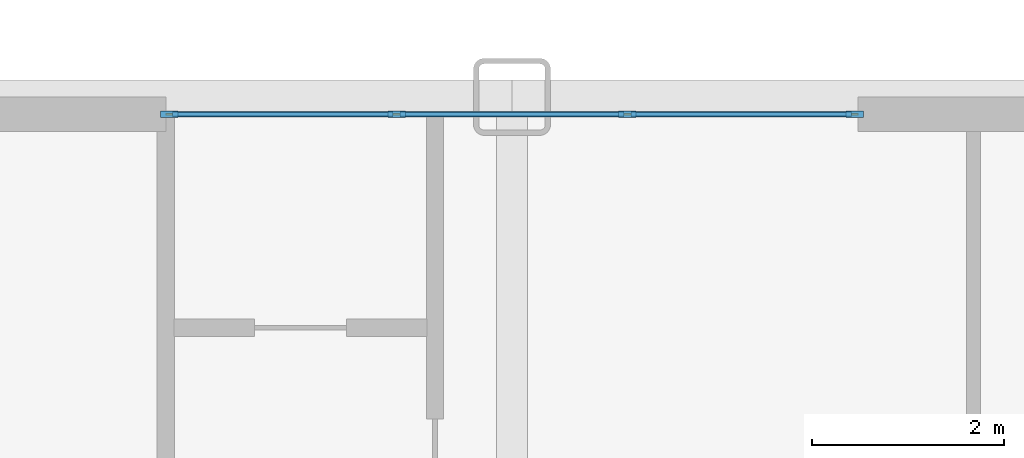
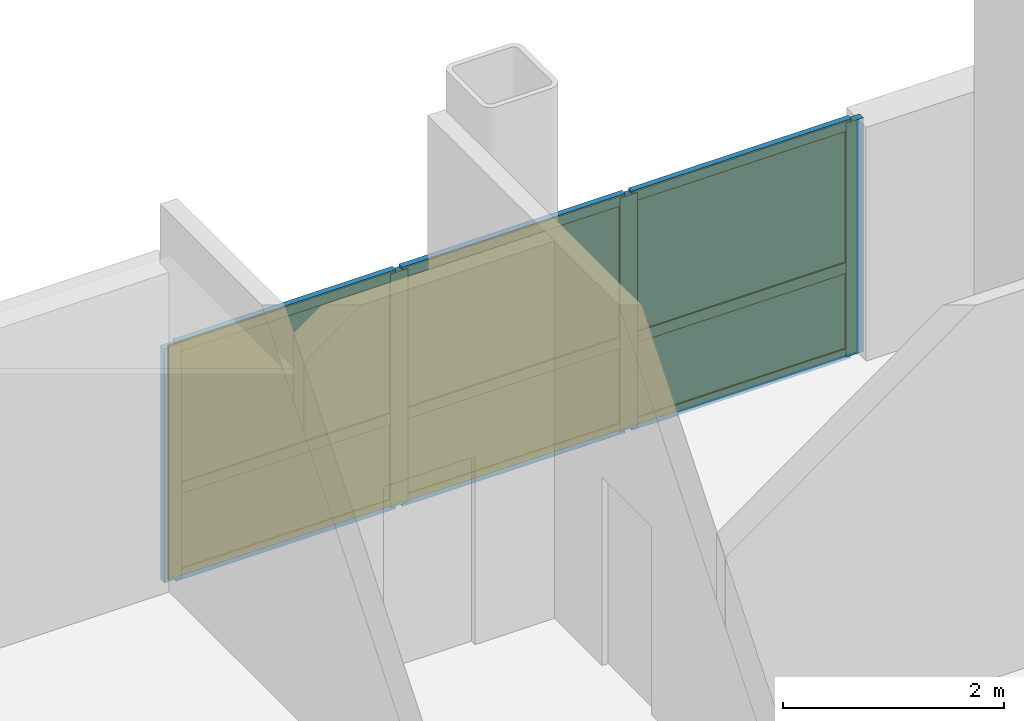
# One storey, part 9 of 14: 13 members, 6 plates, 1 curtain wall.
"""IFC4 building model written with IfcOpenShell, lengths in metres."""

import ifcopenshell
import ifcopenshell.guid

model = None  # the IFC model being written
_history = None  # IfcOwnerHistory: only IFC2X3 demands one
_inside = {}  # id of a spatial element -> (the spatial element, [elements in it])
_under = {}  # id of a project, library or spatial element -> (it, [spatial elements below it])
_declared = {}  # id of a project -> (the project, [libraries it declares])
_typed = {}  # id of a type object -> (the type object, [elements of that type])
_made_of = {}  # id of a material, layer set ... -> (it, [elements and type objects made of it])


def new_model(schema):
    """Start an empty IFC model of exactly this schema.

    Asked for "IFC4X3", IfcOpenShell would pick the latest addendum, in which some entities
    have other attributes; the version numbers below select the first issue.
    IFC2X3 requires an IfcOwnerHistory on every rooted entity: one is made here for all.
    """
    global model, _history
    if schema == "IFC4X3":
        model = ifcopenshell.file(schema_version=(4, 3, 0, 0))
    else:
        model = ifcopenshell.file(schema=schema)
    _inside.clear()
    _under.clear()
    _declared.clear()
    _typed.clear()
    _made_of.clear()
    _history = None
    if model.schema == "IFC2X3":
        org = make("IfcOrganization", Name="unknown")
        user = make(
            "IfcPersonAndOrganization",
            ThePerson=make("IfcPerson", FamilyName="unknown"),
            TheOrganization=org,
        )
        app = make(
            "IfcApplication",
            ApplicationDeveloper=org,
            Version="unknown",
            ApplicationFullName="unknown",
            ApplicationIdentifier="unknown",
        )
        _history = make(
            "IfcOwnerHistory",
            OwningUser=user,
            OwningApplication=app,
            ChangeAction="ADDED",
            CreationDate=0,
        )
    return model


def make(cls, **values):
    """One entity of the class cls with the attributes given. An attribute that is None is left unset."""
    return model.create_entity(
        cls, **{name: value for name, value in values.items() if value is not None}
    )


def rooted(cls, **values):
    """An entity with a GlobalId (a new one), such as an element, a storey or a relation."""
    return make(cls, GlobalId=ifcopenshell.guid.new(), OwnerHistory=_history, **values)


def si_unit(unit_type, name, prefix=None):
    """IfcSIUnit, for example si_unit("LENGTHUNIT", "METRE", prefix="MILLI")."""
    return make("IfcSIUnit", UnitType=unit_type, Prefix=prefix, Name=name)


def assignment(units):
    """IfcUnitAssignment: the units of a project."""
    return None if units is None else make("IfcUnitAssignment", Units=units)


def point(xyz):
    """IfcCartesianPoint."""
    return None if xyz is None else make("IfcCartesianPoint", Coordinates=xyz)


def direction(xyz):
    """IfcDirection."""
    return None if xyz is None else make("IfcDirection", DirectionRatios=xyz)


def frame(location, z_axis=None, x_axis=None):
    """IfcAxis2Placement3D, a coordinate frame: its origin and axes. An axis left out is left unset."""
    return make(
        "IfcAxis2Placement3D",
        Location=point(location),
        Axis=direction(z_axis),
        RefDirection=direction(x_axis),
    )


def frame_2d(location, x_axis=None):
    """IfcAxis2Placement2D, a coordinate frame in the plane: its origin and x axis."""
    return make(
        "IfcAxis2Placement2D", Location=point(location), RefDirection=direction(x_axis)
    )


def origin():
    """The frame at (0, 0, 0) with its axes left unset."""
    return frame((0.0, 0.0, 0.0))


def origin_2d():
    """The frame at (0, 0) in the plane with its x axis left unset."""
    return frame_2d((0.0, 0.0))


def place(relative_to, where):
    """IfcLocalPlacement: puts the frame where relative to a parent placement (None: the world)."""
    return make(
        "IfcLocalPlacement", PlacementRelTo=relative_to, RelativePlacement=where
    )


def context(
    kind, dimensions, precision=None, world=None, true_north=None, identifier=None
):
    """IfcGeometricRepresentationContext, for example the 3D "Model" context."""
    return make(
        "IfcGeometricRepresentationContext",
        ContextIdentifier=identifier,
        ContextType=kind,
        CoordinateSpaceDimension=dimensions,
        Precision=precision,
        WorldCoordinateSystem=world,
        TrueNorth=true_north,
    )


def subcontext(parent, identifier, kind, view, scale=None):
    """IfcGeometricRepresentationSubContext, for example "Body" below "Model"."""
    return make(
        "IfcGeometricRepresentationSubContext",
        ContextIdentifier=identifier,
        ContextType=kind,
        ParentContext=parent,
        TargetScale=scale,
        TargetView=view,
    )


def project(units=None, contexts=None):
    """IfcProject with its units and contexts."""
    return rooted(
        "IfcProject",
        Name="project",
        RepresentationContexts=contexts,
        UnitsInContext=assignment(units),
    )


def spatial(cls, under=None, at=None, **own):
    """A site, building, storey or space (cls), placed at a placement, below another one or the project."""
    s = rooted(cls, ObjectPlacement=at, **own)
    if under is not None:
        _under.setdefault(under.id(), (under, []))[1].append(s)
    return s


def profile(cls, at=None, kind="AREA", **sizes):
    """A parametric profile (cls). Its sizes go by their IFC names, for example OverallWidth=200.0."""
    return make(cls, ProfileType=kind, Position=at, **sizes)


def rectangle(**sizes):
    """IfcRectangleProfileDef."""
    return profile("IfcRectangleProfileDef", **sizes)


def extrude(swept, where, along, depth):
    """IfcExtrudedAreaSolid: the profile swept, set in the frame where, extruded along a direction by depth."""
    return make(
        "IfcExtrudedAreaSolid",
        SweptArea=swept,
        Position=where,
        ExtrudedDirection=direction(along),
        Depth=depth,
    )


def shape(context_of_items, identifier, shape_type, items):
    """IfcShapeRepresentation: the items that make up one representation, for example the "Body"."""
    return make(
        "IfcShapeRepresentation",
        ContextOfItems=context_of_items,
        RepresentationIdentifier=identifier,
        RepresentationType=shape_type,
        Items=items,
    )


def source(mapping_origin, context_of_items, identifier, shape_type, items):
    """IfcRepresentationMap: a shape defined once, which mapped items show again and again."""
    return make(
        "IfcRepresentationMap",
        MappingOrigin=mapping_origin,
        MappedRepresentation=shape(context_of_items, identifier, shape_type, items),
    )


def transform(
    local_origin,
    x_axis=None,
    y_axis=None,
    z_axis=None,
    scale=None,
    scale2=None,
    scale3=None,
    uniform=True,
):
    """IfcCartesianTransformationOperator3D, or its non-uniform kind. x_axis, y_axis, z_axis: its Axis1, 2, 3."""
    if uniform:
        return make(
            "IfcCartesianTransformationOperator3D",
            Axis1=direction(x_axis),
            Axis2=direction(y_axis),
            LocalOrigin=point(local_origin),
            Scale=scale,
            Axis3=direction(z_axis),
        )
    return make(
        "IfcCartesianTransformationOperator3DnonUniform",
        Axis1=direction(x_axis),
        Axis2=direction(y_axis),
        LocalOrigin=point(local_origin),
        Scale=scale,
        Axis3=direction(z_axis),
        Scale2=scale2,
        Scale3=scale3,
    )


def mapped(mapping_source, mapping_target):
    """IfcMappedItem: shows the shape of a source again, moved by a transform."""
    return make(
        "IfcMappedItem", MappingSource=mapping_source, MappingTarget=mapping_target
    )


def material(Name=None, Category=None):
    """IfcMaterial."""
    return make("IfcMaterial", Name=Name, Category=Category)


def layer(
    of_material, thickness, ventilated=None, Name=None, Category=None, Priority=None
):
    """IfcMaterialLayer: one layer of a wall or slab, of a material (None: an air gap)."""
    return make(
        "IfcMaterialLayer",
        Material=of_material,
        LayerThickness=thickness,
        IsVentilated=ventilated,
        Name=Name,
        Category=Category,
        Priority=Priority,
    )


def layer_set(layers, Name=None):
    """IfcMaterialLayerSet."""
    return make("IfcMaterialLayerSet", MaterialLayers=layers, LayerSetName=Name)


def material_profile(
    of_material, cross_section, Name=None, Category=None, Priority=None
):
    """IfcMaterialProfile: a cross section and its material."""
    return make(
        "IfcMaterialProfile",
        Name=Name,
        Material=of_material,
        Profile=cross_section,
        Priority=Priority,
        Category=Category,
    )


def profile_set(profiles, Name=None, composite=None):
    """IfcMaterialProfileSet."""
    return make(
        "IfcMaterialProfileSet",
        Name=Name,
        MaterialProfiles=profiles,
        CompositeProfile=composite,
    )


def made_of(thing, what):
    """Note that an element or type object is made of a material, layer set ...; save() writes the relation."""
    if what is not None:
        _made_of.setdefault(what.id(), (what, []))[1].append(thing)
    return thing


def type_object(cls, material=None, **own):
    """A type object (cls), such as IfcWallType, which elements share."""
    return made_of(rooted(cls, **own), material)


def type_shapes(of_type, sources):
    """Give a type object the sources (RepresentationMaps) that its elements show as mapped items."""
    of_type.RepresentationMaps = sources


def element(
    cls,
    number,
    at=None,
    inside=None,
    cuts=None,
    type_object=None,
    material=None,
    context=None,
    identifier="Body",
    shape_type=None,
    held_by="IfcProductDefinitionShape",
    body=None,
    shapes=None,
    **own,
):
    """One element of the class cls, such as IfcWall. Its Tag is "e" and its number.

    at: its placement. inside: the storey or other place that contains it. cuts: it is an
    opening in that element (IfcRelVoidsElement). A single representation is given by context,
    identifier, shape_type and body (its items); several are given by shapes. held_by: the class
    of the entity that holds the representations. save() writes the other relations.
    """
    e = rooted(cls, Tag="e%d" % number, ObjectPlacement=at, **own)
    if body is not None:
        shapes = [shape(context, identifier, shape_type, body)]
    if shapes is not None:
        e.Representation = make(held_by, Representations=shapes)
    if inside is not None:
        _inside.setdefault(inside.id(), (inside, []))[1].append(e)
    if cuts is not None:
        rooted(
            "IfcRelVoidsElement", RelatingBuildingElement=cuts, RelatedOpeningElement=e
        )
    if type_object is not None:
        _typed.setdefault(type_object.id(), (type_object, []))[1].append(e)
    return made_of(e, material)


def aggregate(whole, parts):
    """IfcRelAggregates: a whole, such as a stair, and the parts it consists of."""
    return rooted("IfcRelAggregates", RelatingObject=whole, RelatedObjects=parts)


def save(model, path):
    """Write the relations noted so far, then the file.

    IfcRelAggregates (storeys below a building ...), IfcRelContainedInSpatialStructure (elements
    in a storey), IfcRelDefinesByType, IfcRelAssociatesMaterial and IfcRelDeclares: one each for
    every whole, place, type object, material and project.
    """
    for whole, parts in _under.values():
        aggregate(whole, parts)
    for where, things in _inside.values():
        rooted(
            "IfcRelContainedInSpatialStructure",
            RelatedElements=things,
            RelatingStructure=where,
        )
    for kind, things in _typed.values():
        rooted("IfcRelDefinesByType", RelatedObjects=things, RelatingType=kind)
    for what, things in _made_of.values():
        rooted("IfcRelAssociatesMaterial", RelatedObjects=things, RelatingMaterial=what)
    for by, libraries in _declared.values():
        rooted("IfcRelDeclares", RelatingContext=by, RelatedDefinitions=libraries)
    model.write(path)


model = new_model("IFC4")

# Units and contexts
model_context = context("Model", 3, precision=1e-05, world=origin(), true_north=direction((0.0, 1.0)))
body_context = subcontext(model_context, "Body", "Model", "MODEL_VIEW")
ifc_project = project(units=[si_unit("LENGTHUNIT", "METRE"), si_unit("AREAUNIT", "SQUARE_METRE"), si_unit("VOLUMEUNIT", "CUBIC_METRE"), si_unit("PLANEANGLEUNIT", "RADIAN"), si_unit("MASSUNIT", "GRAM", prefix="KILO")], contexts=[model_context])

# Member
ifc_material_1 = material(Name="Anodised aluminium 6063-T6", Category="aluminium")
ifc_material_profile_1 = material_profile(ifc_material_1, rectangle(XDim=0.070068359375, YDim=0.179931640625, at=origin_2d()), Name="ALU-MULL-70x180")
ifc_profile_set_1 = profile_set([ifc_material_profile_1], Name="Anodised aluminium 6063-T6")
member_type_1 = type_object("IfcMemberType", Name="CWM-1", PredefinedType="MULLION", material=ifc_profile_set_1)
site_placement = place(None, origin())
building_placement = place(site_placement, origin())
storey_placement = place(building_placement, frame((0.0, 0.0, 13.800048828125)))
member_1_placement = place(storey_placement, frame((-22.56494140625, 25.820068359375, 0.0), z_axis=(0.0, 0.0, 1.0), x_axis=(0.0, 1.0, 0.0)))
member_1 = element("IfcMember", 1, at=member_1_placement, type_object=member_type_1, Name="CWS-1 mullion 1", PredefinedType="MULLION", context=body_context, shape_type="SweptSolid", body=[
    extrude(rectangle(XDim=0.070068359375, YDim=0.179931640625, at=origin_2d()), origin(), (0.0, 0.0, 1.0), 2.5849609375),
])

member_2_placement = place(storey_placement, frame((-20.199951171875, 25.820068359375, 0.0), z_axis=(0.0, 0.0, 1.0), x_axis=(0.0, 1.0, 0.0)))
member_2 = element("IfcMember", 2, at=member_2_placement, type_object=member_type_1, Name="CWS-1 mullion 2", PredefinedType="MULLION", context=body_context, shape_type="SweptSolid", body=[
    extrude(rectangle(XDim=0.070068359375, YDim=0.179931640625, at=origin_2d()), origin(), (0.0, 0.0, 1.0), 2.5849609375),
])

member_3_placement = place(storey_placement, frame((-17.800048828125, 25.820068359375, 0.0), z_axis=(0.0, 0.0, 1.0), x_axis=(0.0, 1.0, 0.0)))
member_3 = element("IfcMember", 3, at=member_3_placement, type_object=member_type_1, Name="CWS-1 mullion 3", PredefinedType="MULLION", context=body_context, shape_type="SweptSolid", body=[
    extrude(rectangle(XDim=0.070068359375, YDim=0.179931640625, at=origin_2d()), origin(), (0.0, 0.0, 1.0), 2.5849609375),
])

member_4_placement = place(storey_placement, frame((-15.43505859375, 25.820068359375, 0.0), z_axis=(0.0, 0.0, 1.0), x_axis=(0.0, 1.0, 0.0)))
member_4 = element("IfcMember", 4, at=member_4_placement, type_object=member_type_1, Name="CWS-1 mullion 4", PredefinedType="MULLION", context=body_context, shape_type="SweptSolid", body=[
    extrude(rectangle(XDim=0.070068359375, YDim=0.179931640625, at=origin_2d()), origin(), (0.0, 0.0, 1.0), 2.5849609375),
])

ifc_material_profile_2 = material_profile(ifc_material_1, rectangle(XDim=0.06005859375, YDim=0.1201171875, at=origin_2d()), Name="ALU-TRAN-60x120")
ifc_profile_set_2 = profile_set([ifc_material_profile_2], Name="Anodised aluminium 6063-T6")
member_type_2 = type_object("IfcMemberType", Name="CWT-1", PredefinedType="USERDEFINED", material=ifc_profile_set_2)
member_5_placement = place(storey_placement, frame((-22.530029296875, 25.820068359375, 0.030029296875), z_axis=(1.0, 0.0, 0.0), x_axis=(0.0, 1.0, 0.0)))
member_5 = element("IfcMember", 5, at=member_5_placement, type_object=member_type_2, Name="CWS-1 transom 1.1", ObjectType="TRANSOM", PredefinedType="USERDEFINED", context=body_context, shape_type="SweptSolid", body=[
    extrude(rectangle(XDim=0.06005859375, YDim=0.1201171875, at=origin_2d()), origin(), (0.0, 0.0, 1.0), 2.294921875),
])

member_6_placement = place(storey_placement, frame((-22.530029296875, 25.820068359375, 0.982177734375), z_axis=(1.0, 0.0, 0.0), x_axis=(0.0, 1.0, 0.0)))
member_6 = element("IfcMember", 6, at=member_6_placement, type_object=member_type_2, Name="CWS-1 transom 1.2", ObjectType="TRANSOM", PredefinedType="USERDEFINED", context=body_context, shape_type="SweptSolid", body=[
    extrude(rectangle(XDim=0.06005859375, YDim=0.1201171875, at=origin_2d()), origin(), (0.0, 0.0, 1.0), 2.294921875),
])

member_7_placement = place(storey_placement, frame((-22.530029296875, 25.820068359375, 2.554931640625), z_axis=(1.0, 0.0, 0.0), x_axis=(0.0, 1.0, 0.0)))
member_7 = element("IfcMember", 7, at=member_7_placement, type_object=member_type_2, Name="CWS-1 transom 1.3", ObjectType="TRANSOM", PredefinedType="USERDEFINED", context=body_context, shape_type="SweptSolid", body=[
    extrude(rectangle(XDim=0.06005859375, YDim=0.1201171875, at=origin_2d()), origin(), (0.0, 0.0, 1.0), 2.294921875),
])

member_8_placement = place(storey_placement, frame((-20.1650390625, 25.820068359375, 0.030029296875), z_axis=(1.0, 0.0, 0.0), x_axis=(0.0, 1.0, 0.0)))
member_8 = element("IfcMember", 8, at=member_8_placement, type_object=member_type_2, Name="CWS-1 transom 2.1", ObjectType="TRANSOM", PredefinedType="USERDEFINED", context=body_context, shape_type="SweptSolid", body=[
    extrude(rectangle(XDim=0.06005859375, YDim=0.1201171875, at=origin_2d()), origin(), (0.0, 0.0, 1.0), 2.330078125),
])

member_9_placement = place(storey_placement, frame((-20.1650390625, 25.820068359375, 0.982177734375), z_axis=(1.0, 0.0, 0.0), x_axis=(0.0, 1.0, 0.0)))
member_9 = element("IfcMember", 9, at=member_9_placement, type_object=member_type_2, Name="CWS-1 transom 2.2", ObjectType="TRANSOM", PredefinedType="USERDEFINED", context=body_context, shape_type="SweptSolid", body=[
    extrude(rectangle(XDim=0.06005859375, YDim=0.1201171875, at=origin_2d()), origin(), (0.0, 0.0, 1.0), 2.330078125),
])

member_10_placement = place(storey_placement, frame((-20.1650390625, 25.820068359375, 2.554931640625), z_axis=(1.0, 0.0, 0.0), x_axis=(0.0, 1.0, 0.0)))
member_10 = element("IfcMember", 10, at=member_10_placement, type_object=member_type_2, Name="CWS-1 transom 2.3", ObjectType="TRANSOM", PredefinedType="USERDEFINED", context=body_context, shape_type="SweptSolid", body=[
    extrude(rectangle(XDim=0.06005859375, YDim=0.1201171875, at=origin_2d()), origin(), (0.0, 0.0, 1.0), 2.330078125),
])

member_11_placement = place(storey_placement, frame((-17.764892578125, 25.820068359375, 0.030029296875), z_axis=(1.0, 0.0, 0.0), x_axis=(0.0, 1.0, 0.0)))
member_11 = element("IfcMember", 11, at=member_11_placement, type_object=member_type_2, Name="CWS-1 transom 3.1", ObjectType="TRANSOM", PredefinedType="USERDEFINED", context=body_context, shape_type="SweptSolid", body=[
    extrude(rectangle(XDim=0.06005859375, YDim=0.1201171875, at=origin_2d()), origin(), (0.0, 0.0, 1.0), 2.294921875),
])

member_12_placement = place(storey_placement, frame((-17.764892578125, 25.820068359375, 0.982177734375), z_axis=(1.0, 0.0, 0.0), x_axis=(0.0, 1.0, 0.0)))
member_12 = element("IfcMember", 12, at=member_12_placement, type_object=member_type_2, Name="CWS-1 transom 3.2", ObjectType="TRANSOM", PredefinedType="USERDEFINED", context=body_context, shape_type="SweptSolid", body=[
    extrude(rectangle(XDim=0.06005859375, YDim=0.1201171875, at=origin_2d()), origin(), (0.0, 0.0, 1.0), 2.294921875),
])

member_13_placement = place(storey_placement, frame((-17.764892578125, 25.820068359375, 2.554931640625), z_axis=(1.0, 0.0, 0.0), x_axis=(0.0, 1.0, 0.0)))
member_13 = element("IfcMember", 13, at=member_13_placement, type_object=member_type_2, Name="CWS-1 transom 3.3", ObjectType="TRANSOM", PredefinedType="USERDEFINED", context=body_context, shape_type="SweptSolid", body=[
    extrude(rectangle(XDim=0.06005859375, YDim=0.1201171875, at=origin_2d()), origin(), (0.0, 0.0, 1.0), 2.294921875),
])

# Plate
ifc_material_2 = material(Name="Insulated solar-control glass", Category="glass")
ifc_layer_1 = layer(ifc_material_2, 0.031982421875, Name="CWP-1")
ifc_layer_set_1 = layer_set([ifc_layer_1], Name="Insulated solar-control glass")
plate_type = type_object("IfcPlateType", Name="CWP-1", PredefinedType="CURTAIN_PANEL", material=ifc_layer_set_1)
shared_shape_1 = source(origin(), body_context, "Body", "SweptSolid", [
    extrude(rectangle(XDim=2.294921875, YDim=0.031982421875, at=origin_2d()), origin(), (0.0, 0.0, 1.0), 0.892333984375),
])
plate_1_placement = place(storey_placement, frame((-21.382568359375, 25.820068359375, 0.06005859375), z_axis=(0.0, 0.0, 1.0), x_axis=(1.0, 0.0, 0.0)))
plate_1 = element("IfcPlate", 14, at=plate_1_placement, type_object=plate_type, Name="CWS-1 panel 1.1", PredefinedType="CURTAIN_PANEL", context=body_context, shape_type="MappedRepresentation", body=[
    mapped(shared_shape_1, transform((0.0, 0.0, 0.0), scale=1.0)),
])

plate_2_placement = place(storey_placement, frame((-16.617431640625, 25.820068359375, 0.06005859375), z_axis=(0.0, 0.0, 1.0), x_axis=(1.0, 0.0, 0.0)))
plate_2 = element("IfcPlate", 15, at=plate_2_placement, type_object=plate_type, Name="CWS-1 panel 3.1", PredefinedType="CURTAIN_PANEL", context=body_context, shape_type="MappedRepresentation", body=[
    mapped(shared_shape_1, transform((0.0, 0.0, 0.0), scale=1.0)),
])

shared_shape_2 = source(origin(), body_context, "Body", "SweptSolid", [
    extrude(rectangle(XDim=2.294921875, YDim=0.031982421875, at=origin_2d()), origin(), (0.0, 0.0, 1.0), 1.5126953125),
])
plate_3_placement = place(storey_placement, frame((-21.382568359375, 25.820068359375, 1.01220703125), z_axis=(0.0, 0.0, 1.0), x_axis=(1.0, 0.0, 0.0)))
plate_3 = element("IfcPlate", 16, at=plate_3_placement, type_object=plate_type, Name="CWS-1 panel 1.2", PredefinedType="CURTAIN_PANEL", context=body_context, shape_type="MappedRepresentation", body=[
    mapped(shared_shape_2, transform((0.0, 0.0, 0.0), scale=1.0)),
])

plate_4_placement = place(storey_placement, frame((-16.617431640625, 25.820068359375, 1.01220703125), z_axis=(0.0, 0.0, 1.0), x_axis=(1.0, 0.0, 0.0)))
plate_4 = element("IfcPlate", 17, at=plate_4_placement, type_object=plate_type, Name="CWS-1 panel 3.2", PredefinedType="CURTAIN_PANEL", context=body_context, shape_type="MappedRepresentation", body=[
    mapped(shared_shape_2, transform((0.0, 0.0, 0.0), scale=1.0)),
])

shared_shape_3 = source(origin(), body_context, "Body", "SweptSolid", [
    extrude(rectangle(XDim=2.330078125, YDim=0.031982421875, at=origin_2d()), origin(), (0.0, 0.0, 1.0), 0.892333984375),
])
plate_5_placement = place(storey_placement, frame((-19.0, 25.820068359375, 0.06005859375), z_axis=(0.0, 0.0, 1.0), x_axis=(1.0, 0.0, 0.0)))
plate_5 = element("IfcPlate", 18, at=plate_5_placement, type_object=plate_type, Name="CWS-1 panel 2.1", PredefinedType="CURTAIN_PANEL", context=body_context, shape_type="MappedRepresentation", body=[
    mapped(shared_shape_3, transform((0.0, 0.0, 0.0), scale=1.0)),
])

shared_shape_4 = source(origin(), body_context, "Body", "SweptSolid", [
    extrude(rectangle(XDim=2.330078125, YDim=0.031982421875, at=origin_2d()), origin(), (0.0, 0.0, 1.0), 1.5126953125),
])
type_shapes(plate_type, [shared_shape_1, shared_shape_2, shared_shape_3, shared_shape_4])
plate_6_placement = place(storey_placement, frame((-19.0, 25.820068359375, 1.01220703125), z_axis=(0.0, 0.0, 1.0), x_axis=(1.0, 0.0, 0.0)))
plate_6 = element("IfcPlate", 19, at=plate_6_placement, type_object=plate_type, Name="CWS-1 panel 2.2", PredefinedType="CURTAIN_PANEL", context=body_context, shape_type="MappedRepresentation", body=[
    mapped(shared_shape_4, transform((0.0, 0.0, 0.0), scale=1.0)),
])

# Site, building, storey
site = spatial("IfcSite", under=ifc_project, at=site_placement, CompositionType="ELEMENT")
building = spatial("IfcBuilding", under=site, at=building_placement, Name="Nuvemarco Arch Tower", CompositionType="ELEMENT")
storey = spatial("IfcBuildingStorey", under=building, at=storey_placement, Name="L03", CompositionType="ELEMENT", Elevation=13.800048828125)

# Curtain wall
ifc_layer_2 = layer(ifc_material_2, 0.179931640625, Name="CW-SYS-1")
ifc_layer_set_2 = layer_set([ifc_layer_2], Name="Insulated solar-control glass")
curtain_wall_type = type_object("IfcCurtainWallType", Name="CW-SYS-1", PredefinedType="NOTDEFINED", material=ifc_layer_set_2)
curtain_wall_placement = place(storey_placement, frame((-22.60009765625, 25.820068359375, 0.0), z_axis=(0.0, 0.0, 1.0), x_axis=(1.0, 0.0, 0.0)))
curtain_wall = element("IfcCurtainWall", 20, at=curtain_wall_placement, inside=storey, type_object=curtain_wall_type, Name="L03 curtain wall CWS-1", PredefinedType="NOTDEFINED", context=body_context, shape_type="SweptSolid", body=[
    extrude(rectangle(XDim=7.2001953125, YDim=0.02001953125, at=frame_2d((3.60009765625, 0.0))), origin(), (0.0, 0.0, 1.0), 2.5849609375),
])

aggregate(curtain_wall, [member_1, member_2, member_3, member_4, member_5, member_6, member_7, plate_1, plate_3, member_8, member_9, member_10, plate_5, plate_6, member_11, member_12, member_13, plate_2, plate_4])

save(model, "model.ifc")
